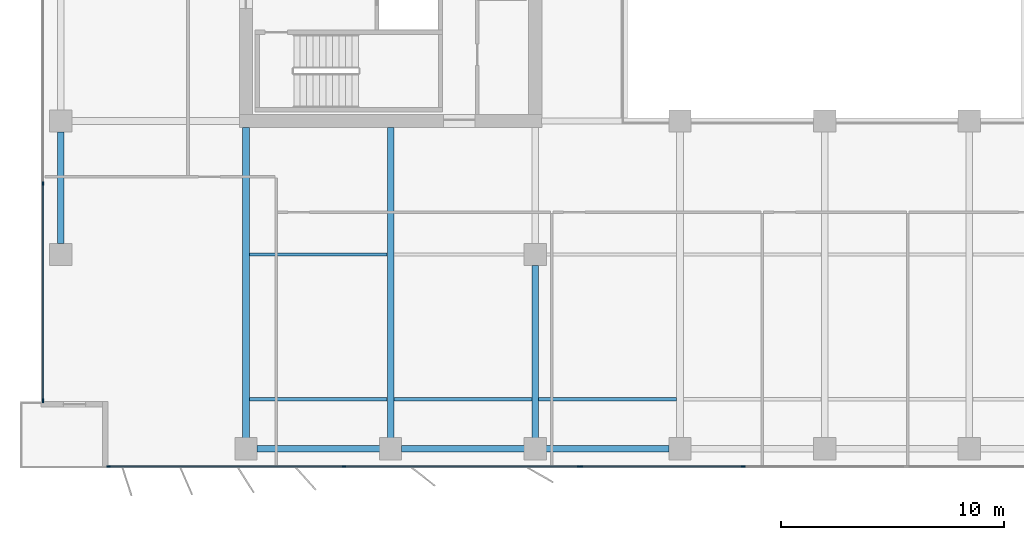
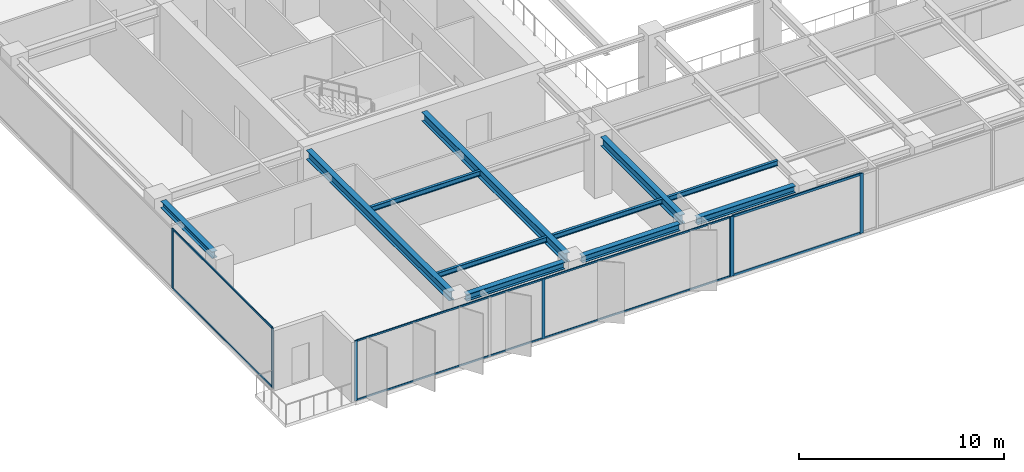
# One storey, part 2 of 22: 15 members, 11 beams, 3 elements without a shape of their own.
"""IFC4 building model written with IfcOpenShell, lengths in metres."""

from ifc_helpers import new_model, si_unit, direction, frame, origin, origin_2d, place, context, subcontext, project, spatial, rectangle, i_section, extrude, material, layer, layer_set, material_profile, profile_set, type_object, element, aggregate, save


model = new_model("IFC4")

# Units and contexts
model_context = context("Model", 3, precision=1e-05, world=origin(), true_north=direction((0.0, 1.0)))
body_context = subcontext(model_context, "Body", "Model", "MODEL_VIEW")
ifc_project = project(units=[si_unit("LENGTHUNIT", "METRE"), si_unit("AREAUNIT", "SQUARE_METRE"), si_unit("VOLUMEUNIT", "CUBIC_METRE"), si_unit("PLANEANGLEUNIT", "RADIAN"), si_unit("MASSUNIT", "GRAM", prefix="KILO")], contexts=[model_context])

# Site, building, storey
site_placement = place(None, origin())
site = spatial("IfcSite", under=ifc_project, at=site_placement, CompositionType="ELEMENT")
building_placement = place(site_placement, origin())
building = spatial("IfcBuilding", under=site, at=building_placement, Name="Putna Gate Headquarters", CompositionType="ELEMENT")
storey_placement = place(building_placement, frame((0.0, 0.0, 170.800048828125)))
storey = spatial("IfcBuildingStorey", under=building, at=storey_placement, Name="L42", CompositionType="ELEMENT", Elevation=170.800048828125)

# Beams
ifc_material_1 = material(Name="Steel S355J2", Category="steel")
ifc_material_profile_1 = material_profile(ifc_material_1, i_section(OverallWidth=0.300048828125, OverallDepth=0.550048828125, WebThickness=0.014892578125, FlangeThickness=0.029052734375, at=origin_2d()), Name="Steel S355J2")
ifc_profile_set_1 = profile_set([ifc_material_profile_1], Name="Steel S355J2")
beam_type_1 = type_object("IfcBeamType", Name="BM-GIRD-Z3-HEB550", PredefinedType="USERDEFINED", material=ifc_profile_set_1)
for number, where, z_axis, x_axis, name in (
    (1, (13.0, 4.76806640625, 3.296875), (0.0, 1.0, 0.0), (-1.0, 0.0, 0.0), "L42 South Primary Girder X13"),
    (2, (19.5, 4.76806640625, 3.296875), (0.0, 1.0, 0.0), (-1.0, 0.0, 0.0), "L42 South Primary Girder X19"),
):
    element("IfcBeam", number, at=place(storey_placement, frame(where, z_axis=z_axis, x_axis=x_axis)), inside=storey, type_object=beam_type_1, Name=name, ObjectType="GIRDER", PredefinedType="USERDEFINED", context=body_context, shape_type="SweptSolid", body=[
        extrude(i_section(OverallWidth=0.300048828125, OverallDepth=0.550048828125, WebThickness=0.014892578125, FlangeThickness=0.029052734375, at=origin_2d()), origin(), (0.0, 0.0, 1.0), 13.947021484375),
    ])
beam_1_placement = place(storey_placement, frame((26.0, 4.76806640625, 3.296875), z_axis=(0.0, 1.0, 0.0), x_axis=(-1.0, 0.0, 0.0)))
element("IfcBeam", 3, at=beam_1_placement, inside=storey, type_object=beam_type_1, Name="L42 South Primary Girder X26-1", ObjectType="GIRDER", PredefinedType="USERDEFINED", context=body_context, shape_type="SweptSolid", body=[
    extrude(i_section(OverallWidth=0.300048828125, OverallDepth=0.550048828125, WebThickness=0.014892578125, FlangeThickness=0.029052734375, at=origin_2d()), origin(), (0.0, 0.0, 1.0), 7.743896484375),
])
ifc_material_profile_2 = material_profile(ifc_material_1, i_section(OverallWidth=0.14990234375, OverallDepth=0.300048828125, WebThickness=0.007080078125, FlangeThickness=0.0107421875, at=origin_2d()), Name="Steel S355J2")
ifc_profile_set_2 = profile_set([ifc_material_profile_2], Name="Steel S355J2")
beam_type_2 = type_object("IfcBeamType", Name="BM-SEC-Z3-IPE300", PredefinedType="JOIST", material=ifc_profile_set_2)
for number, where, z_axis, x_axis, name in (
    (4, (13.154052734375, 6.5, 3.421875), (1.0, 0.0, 0.0), (0.0, 1.0, 0.0), "L42 South Secondary Beam 1"),
    (5, (13.154052734375, 13.0, 3.421875), (1.0, 0.0, 0.0), (0.0, 1.0, 0.0), "L42 South Secondary Beam 1"),
    (6, (19.654052734375, 6.5, 3.421875), (1.0, 0.0, 0.0), (0.0, 1.0, 0.0), "L42 South Secondary Beam 2"),
    (7, (26.154052734375, 6.5, 3.421875), (1.0, 0.0, 0.0), (0.0, 1.0, 0.0), "L42 South Secondary Beam 3"),
):
    element("IfcBeam", number, at=place(storey_placement, frame(where, z_axis=z_axis, x_axis=x_axis)), inside=storey, type_object=beam_type_2, Name=name, PredefinedType="JOIST", context=body_context, shape_type="SweptSolid", body=[
        extrude(i_section(OverallWidth=0.14990234375, OverallDepth=0.300048828125, WebThickness=0.007080078125, FlangeThickness=0.0107421875, at=origin_2d()), origin(), (0.0, 0.0, 1.0), 6.19189453125),
    ])
ifc_material_profile_3 = material_profile(ifc_material_1, i_section(OverallWidth=0.300048828125, OverallDepth=0.39990234375, WebThickness=0.013427734375, FlangeThickness=0.02392578125, at=origin_2d()), Name="Steel S355J2")
ifc_profile_set_3 = profile_set([ifc_material_profile_3], Name="Steel S355J2")
beam_type_3 = type_object("IfcBeamType", Name="BM-SPAN-Z3-HEB400", PredefinedType="SPANDREL", material=ifc_profile_set_3)
for number, where, z_axis, x_axis, name in (
    (8, (13.488037109375, 4.280029296875, 3.3720703125), (1.0, 0.0, 0.0), (0.0, 1.0, 0.0), "L42 S Perimeter Spandrel 1"),
    (9, (19.988037109375, 4.280029296875, 3.3720703125), (1.0, 0.0, 0.0), (0.0, 1.0, 0.0), "L42 S Perimeter Spandrel 2"),
    (10, (26.488037109375, 4.280029296875, 3.3720703125), (1.0, 0.0, 0.0), (0.0, 1.0, 0.0), "L42 S Perimeter Spandrel 3"),
):
    element("IfcBeam", number, at=place(storey_placement, frame(where, z_axis=z_axis, x_axis=x_axis)), inside=storey, type_object=beam_type_3, Name=name, PredefinedType="SPANDREL", context=body_context, shape_type="SweptSolid", body=[
        extrude(i_section(OverallWidth=0.300048828125, OverallDepth=0.39990234375, WebThickness=0.013427734375, FlangeThickness=0.02392578125, at=origin_2d()), origin(), (0.0, 0.0, 1.0), 5.52392578125),
    ])
beam_2_placement = place(storey_placement, frame((4.679931640625, 13.488037109375, 3.3720703125), z_axis=(0.0, 1.0, 0.0), x_axis=(-1.0, 0.0, 0.0)))
element("IfcBeam", 11, at=beam_2_placement, inside=storey, type_object=beam_type_3, Name="L42 W End Spandrel 1", PredefinedType="SPANDREL", context=body_context, shape_type="SweptSolid", body=[
    extrude(i_section(OverallWidth=0.300048828125, OverallDepth=0.39990234375, WebThickness=0.013427734375, FlangeThickness=0.02392578125, at=origin_2d()), origin(), (0.0, 0.0, 1.0), 5.02392578125),
])

# Curtain wall, members
ifc_material_2 = material(Name="Anodised bronze aluminium curtain wall", Category="aluminium")
ifc_layer_1 = layer(ifc_material_2, 0.159912109375)
ifc_layer_set_1 = layer_set([ifc_layer_1], Name="Anodised bronze aluminium curtain wall")
curtain_wall_type_1 = type_object("IfcCurtainWallType", Name="CW-SYS-Z3", PredefinedType="USERDEFINED", material=ifc_layer_set_1)
curtain_wall_1_placement = place(storey_placement, origin())
curtain_wall_1 = element("IfcCurtainWall", 12, at=curtain_wall_1_placement, inside=storey, type_object=curtain_wall_type_1, Name="L42 South West Curtain Wall", ObjectType="STICK CURTAIN WALL", PredefinedType="USERDEFINED")
ifc_material_3 = material(Name="Anodised bronze aluminium EN AW-6060", Category="aluminium")
ifc_material_profile_4 = material_profile(ifc_material_3, rectangle(XDim=0.06494140625, YDim=0.159912109375, at=origin_2d()), Name="Anodised bronze aluminium EN AW-6060")
ifc_profile_set_4 = profile_set([ifc_material_profile_4], Name="Anodised bronze aluminium EN AW-6060")
member_type_1 = type_object("IfcMemberType", Name="MULL-CWM-3", PredefinedType="MULLION", material=ifc_profile_set_4)
member_1_placement = place(storey_placement, frame((6.83251953125, 3.47998046875, 0.0), z_axis=(0.0, 0.0, 1.0), x_axis=(0.0, 1.0, 0.0)))
member_1 = element("IfcMember", 13, at=member_1_placement, type_object=member_type_1, Name="CWS-3 mullion 1", PredefinedType="MULLION", context=body_context, shape_type="SweptSolid", body=[
    extrude(rectangle(XDim=0.06494140625, YDim=0.159912109375, at=origin_2d()), origin(), (0.0, 0.0, 1.0), 3.572021484375),
])
member_2_placement = place(storey_placement, frame((17.39990234375, 3.47998046875, 0.0), z_axis=(0.0, 0.0, 1.0), x_axis=(0.0, 1.0, 0.0)))
member_2 = element("IfcMember", 14, at=member_2_placement, type_object=member_type_1, Name="CWS-3 mullion 2", PredefinedType="MULLION", context=body_context, shape_type="SweptSolid", body=[
    extrude(rectangle(XDim=0.06494140625, YDim=0.159912109375, at=origin_2d()), origin(), (0.0, 0.0, 1.0), 3.572021484375),
])
member_3_placement = place(storey_placement, frame((27.967529296875, 3.47998046875, 0.0), z_axis=(0.0, 0.0, 1.0), x_axis=(0.0, 1.0, 0.0)))
member_3 = element("IfcMember", 15, at=member_3_placement, type_object=member_type_1, Name="CWS-3 mullion 3", PredefinedType="MULLION", context=body_context, shape_type="SweptSolid", body=[
    extrude(rectangle(XDim=0.06494140625, YDim=0.159912109375, at=origin_2d()), origin(), (0.0, 0.0, 1.0), 3.572021484375),
])

curtain_wall_2_placement = place(storey_placement, origin())
curtain_wall_2 = element("IfcCurtainWall", 16, at=curtain_wall_2_placement, inside=storey, type_object=curtain_wall_type_1, Name="L42 West Curtain Wall", ObjectType="STICK CURTAIN WALL", PredefinedType="USERDEFINED")
member_4_placement = place(storey_placement, frame((3.8798828125, 6.4326171875, 0.0), z_axis=(0.0, 0.0, 1.0), x_axis=(-1.0, 0.0, 0.0)))
member_4 = element("IfcMember", 17, at=member_4_placement, type_object=member_type_1, Name="CWS-3 mullion 1", PredefinedType="MULLION", context=body_context, shape_type="SweptSolid", body=[
    extrude(rectangle(XDim=0.06494140625, YDim=0.159912109375, at=origin_2d()), origin(), (0.0, 0.0, 1.0), 3.572021484375),
])
member_5_placement = place(storey_placement, frame((3.8798828125, 16.199951171875, 0.0), z_axis=(0.0, 0.0, 1.0), x_axis=(-1.0, 0.0, 0.0)))
member_5 = element("IfcMember", 18, at=member_5_placement, type_object=member_type_1, Name="CWS-3 mullion 2", PredefinedType="MULLION", context=body_context, shape_type="SweptSolid", body=[
    extrude(rectangle(XDim=0.06494140625, YDim=0.159912109375, at=origin_2d()), origin(), (0.0, 0.0, 1.0), 3.572021484375),
])

ifc_layer_2 = layer(ifc_material_2, 0.179931640625)
ifc_layer_set_2 = layer_set([ifc_layer_2], Name="Anodised bronze aluminium curtain wall")
curtain_wall_type_2 = type_object("IfcCurtainWallType", Name="CW-SYS-ATR", PredefinedType="USERDEFINED", material=ifc_layer_set_2)
curtain_wall_3_placement = place(storey_placement, origin())
curtain_wall_3 = element("IfcCurtainWall", 19, at=curtain_wall_3_placement, inside=storey, type_object=curtain_wall_type_2, Name="L42 South Atrium Clear Glazing", ObjectType="ATRIUM GLAZING", PredefinedType="USERDEFINED")
ifc_material_profile_5 = material_profile(ifc_material_3, rectangle(XDim=0.070068359375, YDim=0.179931640625, at=origin_2d()), Name="Anodised bronze aluminium EN AW-6060")
ifc_profile_set_5 = profile_set([ifc_material_profile_5], Name="Anodised bronze aluminium EN AW-6060")
member_type_2 = type_object("IfcMemberType", Name="MULL-CWM-AT", PredefinedType="MULLION", material=ifc_profile_set_5)
member_6_placement = place(storey_placement, frame((28.034912109375, 3.47998046875, 0.0), z_axis=(0.0, 0.0, 1.0), x_axis=(0.0, 1.0, 0.0)))
member_6 = element("IfcMember", 20, at=member_6_placement, type_object=member_type_2, Name="CWS-AT mullion 1", PredefinedType="MULLION", context=body_context, shape_type="SweptSolid", body=[
    extrude(rectangle(XDim=0.070068359375, YDim=0.179931640625, at=origin_2d()), origin(), (0.0, 0.0, 1.0), 3.572021484375),
])
member_7_placement = place(storey_placement, frame((35.333251953125, 3.47998046875, 0.0), z_axis=(0.0, 0.0, 1.0), x_axis=(0.0, 1.0, 0.0)))
member_7 = element("IfcMember", 21, at=member_7_placement, type_object=member_type_2, Name="CWS-AT mullion 2", PredefinedType="MULLION", context=body_context, shape_type="SweptSolid", body=[
    extrude(rectangle(XDim=0.070068359375, YDim=0.179931640625, at=origin_2d()), origin(), (0.0, 0.0, 1.0), 3.572021484375),
])

# Member
ifc_material_profile_6 = material_profile(ifc_material_3, rectangle(XDim=0.06005859375, YDim=0.10009765625, at=origin_2d()), Name="Anodised bronze aluminium EN AW-6060")
ifc_profile_set_6 = profile_set([ifc_material_profile_6], Name="Anodised bronze aluminium EN AW-6060")
member_type_3 = type_object("IfcMemberType", Name="TRAN-CWT-3", PredefinedType="USERDEFINED", material=ifc_profile_set_6)
member_8_placement = place(storey_placement, frame((6.864990234375, 3.47998046875, 0.030029296875), z_axis=(1.0, 0.0, 0.0), x_axis=(0.0, 1.0, 0.0)))
member_8 = element("IfcMember", 22, at=member_8_placement, type_object=member_type_3, Name="CWS-3 transom 1.1", ObjectType="TRANSOM", PredefinedType="USERDEFINED", context=body_context, shape_type="SweptSolid", body=[
    extrude(rectangle(XDim=0.06005859375, YDim=0.10009765625, at=origin_2d()), origin(), (0.0, 0.0, 1.0), 10.50244140625),
])

member_9_placement = place(storey_placement, frame((6.864990234375, 3.47998046875, 3.5419921875), z_axis=(1.0, 0.0, 0.0), x_axis=(0.0, 1.0, 0.0)))
member_9 = element("IfcMember", 23, at=member_9_placement, type_object=member_type_3, Name="CWS-3 transom 1.2", ObjectType="TRANSOM", PredefinedType="USERDEFINED", context=body_context, shape_type="SweptSolid", body=[
    extrude(rectangle(XDim=0.06005859375, YDim=0.10009765625, at=origin_2d()), origin(), (0.0, 0.0, 1.0), 10.50244140625),
])

member_10_placement = place(storey_placement, frame((17.4326171875, 3.47998046875, 0.030029296875), z_axis=(1.0, 0.0, 0.0), x_axis=(0.0, 1.0, 0.0)))
member_10 = element("IfcMember", 24, at=member_10_placement, type_object=member_type_3, Name="CWS-3 transom 2.1", ObjectType="TRANSOM", PredefinedType="USERDEFINED", context=body_context, shape_type="SweptSolid", body=[
    extrude(rectangle(XDim=0.06005859375, YDim=0.10009765625, at=origin_2d()), origin(), (0.0, 0.0, 1.0), 10.50244140625),
])

member_11_placement = place(storey_placement, frame((17.4326171875, 3.47998046875, 3.5419921875), z_axis=(1.0, 0.0, 0.0), x_axis=(0.0, 1.0, 0.0)))
member_11 = element("IfcMember", 25, at=member_11_placement, type_object=member_type_3, Name="CWS-3 transom 2.2", ObjectType="TRANSOM", PredefinedType="USERDEFINED", context=body_context, shape_type="SweptSolid", body=[
    extrude(rectangle(XDim=0.06005859375, YDim=0.10009765625, at=origin_2d()), origin(), (0.0, 0.0, 1.0), 10.50244140625),
])

aggregate(curtain_wall_1, [member_1, member_2, member_3, member_8, member_9, member_10, member_11])

member_12_placement = place(storey_placement, frame((3.8798828125, 6.465087890625, 0.030029296875), z_axis=(0.0, 1.0, 0.0), x_axis=(-1.0, 0.0, 0.0)))
member_12 = element("IfcMember", 26, at=member_12_placement, type_object=member_type_3, Name="CWS-3 transom 1.1", ObjectType="TRANSOM", PredefinedType="USERDEFINED", context=body_context, shape_type="SweptSolid", body=[
    extrude(rectangle(XDim=0.06005859375, YDim=0.10009765625, at=origin_2d()), origin(), (0.0, 0.0, 1.0), 9.702392578125),
])

member_13_placement = place(storey_placement, frame((3.8798828125, 6.465087890625, 3.5419921875), z_axis=(0.0, 1.0, 0.0), x_axis=(-1.0, 0.0, 0.0)))
member_13 = element("IfcMember", 27, at=member_13_placement, type_object=member_type_3, Name="CWS-3 transom 1.2", ObjectType="TRANSOM", PredefinedType="USERDEFINED", context=body_context, shape_type="SweptSolid", body=[
    extrude(rectangle(XDim=0.06005859375, YDim=0.10009765625, at=origin_2d()), origin(), (0.0, 0.0, 1.0), 9.702392578125),
])

aggregate(curtain_wall_2, [member_4, member_5, member_12, member_13])

ifc_material_profile_7 = material_profile(ifc_material_3, rectangle(XDim=0.070068359375, YDim=0.139892578125, at=origin_2d()), Name="Anodised bronze aluminium EN AW-6060")
ifc_profile_set_7 = profile_set([ifc_material_profile_7], Name="Anodised bronze aluminium EN AW-6060")
member_type_4 = type_object("IfcMemberType", Name="TRAN-CWT-AT", PredefinedType="USERDEFINED", material=ifc_profile_set_7)
member_14_placement = place(storey_placement, frame((28.070068359375, 3.47998046875, 0.034912109375), z_axis=(1.0, 0.0, 0.0), x_axis=(0.0, 1.0, 0.0)))
member_14 = element("IfcMember", 28, at=member_14_placement, type_object=member_type_4, Name="CWS-AT transom 1.1", ObjectType="TRANSOM", PredefinedType="USERDEFINED", context=body_context, shape_type="SweptSolid", body=[
    extrude(rectangle(XDim=0.070068359375, YDim=0.139892578125, at=origin_2d()), origin(), (0.0, 0.0, 1.0), 7.228271484375),
])

member_15_placement = place(storey_placement, frame((28.070068359375, 3.47998046875, 3.536865234375), z_axis=(1.0, 0.0, 0.0), x_axis=(0.0, 1.0, 0.0)))
member_15 = element("IfcMember", 29, at=member_15_placement, type_object=member_type_4, Name="CWS-AT transom 1.2", ObjectType="TRANSOM", PredefinedType="USERDEFINED", context=body_context, shape_type="SweptSolid", body=[
    extrude(rectangle(XDim=0.070068359375, YDim=0.139892578125, at=origin_2d()), origin(), (0.0, 0.0, 1.0), 7.228271484375),
])

aggregate(curtain_wall_3, [member_6, member_7, member_14, member_15])

save(model, "model.ifc")
